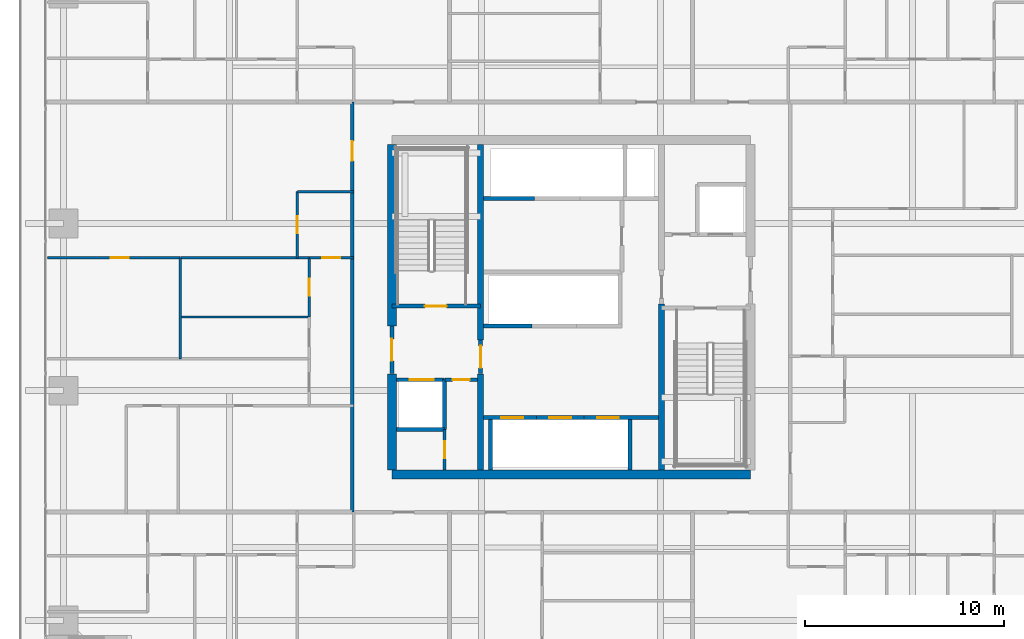
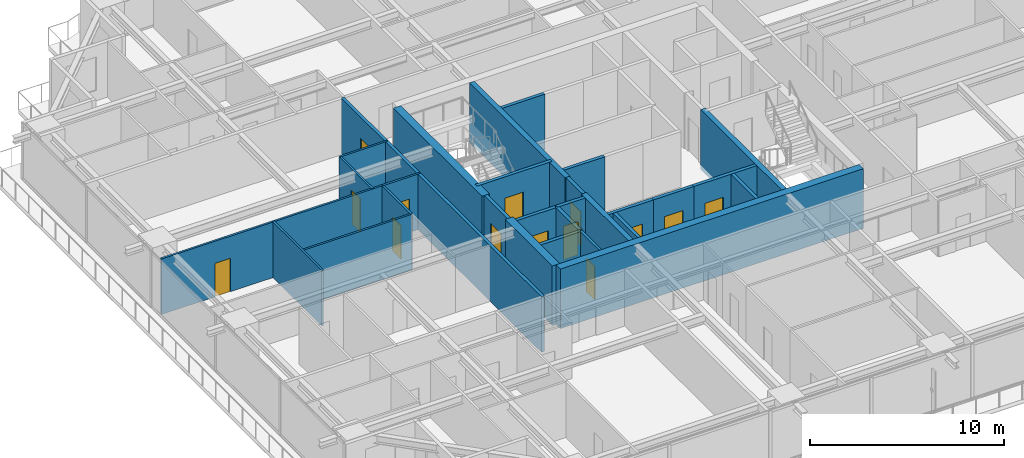
# One storey, part 27 of 38: 30 walls, 14 doors, 14 openings.
"""IFC4 building model written with IfcOpenShell, lengths in metres."""

from ifc_helpers import new_model, si_unit, direction, frame, frame_2d, origin, place, context, subcontext, project, spatial, rectangle, extrude, source, transform, mapped, material, layer, layer_set, type_object, element, fill, save


model = new_model("IFC4")

# Units and contexts
model_context = context("Model", 3, precision=1e-05, world=origin(), true_north=direction((0.0, 1.0)))
body_context = subcontext(model_context, "Body", "Model", "MODEL_VIEW")
ifc_project = project(units=[si_unit("LENGTHUNIT", "METRE"), si_unit("AREAUNIT", "SQUARE_METRE"), si_unit("VOLUMEUNIT", "CUBIC_METRE"), si_unit("PLANEANGLEUNIT", "RADIAN"), si_unit("MASSUNIT", "GRAM", prefix="KILO")], contexts=[model_context])

# Site, building, storey
site_placement = place(None, origin())
site = spatial("IfcSite", under=ifc_project, at=site_placement, CompositionType="ELEMENT")
building_placement = place(site_placement, origin())
building = spatial("IfcBuilding", under=site, at=building_placement, Name="Serunith Strait Residences", CompositionType="ELEMENT")
storey_placement = place(building_placement, frame((0.0, 0.0, 30.449951171875)))
storey = spatial("IfcBuildingStorey", under=building, at=storey_placement, Name="L06", CompositionType="ELEMENT", Elevation=30.449951171875)

# Wall, opening, door
ifc_material_1 = material(Name="Fire-rated masonry service closet wall", Category="masonry")
ifc_layer_1 = layer(ifc_material_1, 0.14990234375, Name="Fire-rated masonry service closet wall")
ifc_layer_set_1 = layer_set([ifc_layer_1], Name="Fire-rated masonry service closet wall")
wall_type_1 = type_object("IfcWallType", Name="IW-BOH-150", PredefinedType="PARTITIONING", material=ifc_layer_set_1)
wall_1_placement = place(storey_placement, frame((26.050048828125, 17.02490234375, 0.0), z_axis=(0.0, 0.0, 1.0), x_axis=(0.0, 1.0, 0.0)))
wall_1 = element("IfcWall", 1, at=wall_1_placement, inside=storey, type_object=wall_type_1, Name="L06 Partition Wall 012", PredefinedType="PARTITIONING", context=body_context, shape_type="SweptSolid", body=[
    extrude(rectangle(XDim=2.023193359375, YDim=0.14990234375, at=frame_2d((1.01171875, 0.0))), origin(), (0.0, 0.0, 1.0), 3.489990234375),
])
opening_1_placement = place(wall_1_placement, frame((0.5859375, 0.0, 0.0)))
opening_1 = element("IfcOpeningElement", 2, at=opening_1_placement, cuts=wall_1, Name="Opening FD-850", PredefinedType="OPENING", context=body_context, shape_type="SweptSolid", body=[
    extrude(rectangle(XDim=0.85009765625, YDim=2.10009765625, at=frame_2d((0.425048828125, 1.050048828125))), frame((0.0, 0.0849609375, 0.0), z_axis=(0.0, -1.0, 0.0), x_axis=(1.0, 0.0, 0.0)), (0.0, 0.0, 1.0), 0.169921875),
])
ifc_material_2 = material(Name="Powder-coated steel service closet door", Category="steel")
door_type_1 = type_object("IfcDoorType", Name="FD-BOH-850", OperationType="NOTDEFINED", PredefinedType="DOOR", material=ifc_material_2)
shared_shape_1 = source(origin(), body_context, "Body", "SweptSolid", [
    extrude(rectangle(XDim=0.85009765625, YDim=2.10009765625, at=frame_2d((0.425048828125, 1.050048828125))), frame((0.0, 0.02490234375, 0.0), z_axis=(0.0, -1.0, 0.0), x_axis=(1.0, 0.0, 0.0)), (0.0, 0.0, 1.0), 0.050048828125),
])
door_1_placement = place(opening_1_placement, origin())
door_1 = element("IfcDoor", 3, at=door_1_placement, inside=storey, type_object=door_type_1, Name="L06 Cleaner Store Door", OperationType="SINGLE_SWING_LEFT", OverallHeight=2.10009765625, OverallWidth=0.85009765625, PredefinedType="DOOR", context=body_context, shape_type="MappedRepresentation", body=[
    mapped(shared_shape_1, transform((0.0, 0.0, 0.0), scale=1.0)),
])
fill(opening_1, door_1)

ifc_material_3 = material(Name="Fire-rated acoustic gypsum partition")
ifc_layer_2 = layer(ifc_material_3, 0.179931640625, Name="Fire-rated acoustic gypsum partition")
ifc_layer_set_2 = layer_set([ifc_layer_2], Name="Fire-rated acoustic gypsum partition")
wall_type_2 = type_object("IfcWallType", Name="IW-CORR-180", PredefinedType="PARTITIONING", material=ifc_layer_set_2)
wall_2_placement = place(storey_placement, frame((21.39990234375, 14.89990234375, 0.0), z_axis=(0.0, 0.0, 1.0), x_axis=(0.0, 1.0, 0.0)))
wall_2 = element("IfcWall", 4, at=wall_2_placement, inside=storey, type_object=wall_type_2, Name="L06 Partition Wall 024", PredefinedType="PARTITIONING", context=body_context, shape_type="SweptSolid", body=[
    extrude(rectangle(XDim=20.60009765625, YDim=0.179931640625, at=frame_2d((10.300048828125, 0.0))), origin(), (0.0, 0.0, 1.0), 3.489990234375),
])
opening_2_placement = place(wall_2_placement, frame((17.639892578125, 0.0, 0.0)))
opening_2 = element("IfcOpeningElement", 5, at=opening_2_placement, cuts=wall_2, Name="Opening D-APT1000", PredefinedType="OPENING", context=body_context, shape_type="SweptSolid", body=[
    extrude(rectangle(XDim=1.0, YDim=2.14990234375, at=frame_2d((0.5, 1.074951171875))), frame((0.0, 0.10009765625, 0.0), z_axis=(0.0, -1.0, 0.0), x_axis=(1.0, 0.0, 0.0)), (0.0, 0.0, 1.0), 0.199951171875),
])
ifc_material_4 = material(Name="Solid timber engineered fire door", Category="wood")
door_type_2 = type_object("IfcDoorType", Name="ID-APT-1000", OperationType="NOTDEFINED", PredefinedType="DOOR", material=ifc_material_4)
shared_shape_2 = source(origin(), body_context, "Body", "SweptSolid", [
    extrude(rectangle(XDim=1.0, YDim=2.14990234375, at=frame_2d((0.5, 1.074951171875))), frame((0.0, 0.02490234375, 0.0), z_axis=(0.0, -1.0, 0.0), x_axis=(1.0, 0.0, 0.0)), (0.0, 0.0, 1.0), 0.050048828125),
])
door_2_placement = place(opening_2_placement, origin())
door_2 = element("IfcDoor", 6, at=door_2_placement, inside=storey, type_object=door_type_2, Name="L06 Unit 07 Entrance Door", OperationType="SINGLE_SWING_LEFT", OverallHeight=2.14990234375, OverallWidth=1.0, PredefinedType="DOOR", context=body_context, shape_type="MappedRepresentation", body=[
    mapped(shared_shape_2, transform((0.0, 0.0, 0.0), scale=1.0)),
])
fill(opening_2, door_2)

ifc_material_5 = material(Name="Lightweight steel-stud gypsum partition", Category="steel")
ifc_layer_3 = layer(ifc_material_5, 0.1201171875, Name="Lightweight steel-stud gypsum partition")
ifc_layer_set_3 = layer_set([ifc_layer_3], Name="Lightweight steel-stud gypsum partition")
wall_type_3 = type_object("IfcWallType", Name="IW-PART-120", PredefinedType="PARTITIONING", material=ifc_layer_set_3)
wall_3_placement = place(storey_placement, frame((18.64990234375, 27.669921875, 0.0), z_axis=(0.0, 0.0, 1.0), x_axis=(0.0, 1.0, 0.0)))
wall_3 = element("IfcWall", 7, at=wall_3_placement, inside=storey, type_object=wall_type_3, Name="L06 Partition Wall 100", PredefinedType="PARTITIONING", context=body_context, shape_type="SweptSolid", body=[
    extrude(rectangle(XDim=3.330078125, YDim=0.1201171875, at=frame_2d((1.6650390625, 0.0))), origin(), (0.0, 0.0, 1.0), 3.489990234375),
])
opening_3_placement = place(wall_3_placement, frame((1.239990234375, 0.0, 0.0)))
opening_3 = element("IfcOpeningElement", 8, at=opening_3_placement, cuts=wall_3, Name="Opening D-RM850", PredefinedType="OPENING", context=body_context, shape_type="SweptSolid", body=[
    extrude(rectangle(XDim=0.85009765625, YDim=2.10009765625, at=frame_2d((0.425048828125, 1.050048828125))), frame((0.0, 0.070068359375, 0.0), z_axis=(0.0, -1.0, 0.0), x_axis=(1.0, 0.0, 0.0)), (0.0, 0.0, 1.0), 0.14013671875),
])
ifc_material_6 = material(Name="Engineered timber flush study and kitchen door", Category="wood")
door_type_3 = type_object("IfcDoorType", Name="ID-ROOM-850", OperationType="NOTDEFINED", PredefinedType="DOOR", material=ifc_material_6)
door_3_placement = place(opening_3_placement, origin())
door_3 = element("IfcDoor", 9, at=door_3_placement, inside=storey, type_object=door_type_3, Name="L06 Kitchen 0607 Door", OperationType="SINGLE_SWING_LEFT", OverallHeight=2.10009765625, OverallWidth=0.85009765625, PredefinedType="DOOR", context=body_context, shape_type="MappedRepresentation", body=[
    mapped(shared_shape_1, transform((0.0, 0.0, 0.0), scale=1.0)),
])
fill(opening_3, door_3)

# Wall
wall_4_placement = place(storey_placement, frame((18.64990234375, 31.0, 0.0), z_axis=(0.0, 0.0, 1.0), x_axis=(1.0, 0.0, 0.0)))
element("IfcWall", 10, at=wall_4_placement, inside=storey, type_object=wall_type_3, Name="L06 Partition Wall 101", PredefinedType="PARTITIONING", context=body_context, shape_type="SweptSolid", body=[
    extrude(rectangle(XDim=2.81005859375, YDim=0.1201171875, at=frame_2d((1.405029296875, 0.0))), origin(), (0.0, 0.0, 1.0), 3.489990234375),
])

# Wall, opening, door
wall_5_placement = place(storey_placement, frame((19.25, 27.669921875, 0.0), z_axis=(0.0, 0.0, 1.0), x_axis=(1.0, 0.0, 0.0)))
wall_5 = element("IfcWall", 11, at=wall_5_placement, inside=storey, type_object=wall_type_3, Name="L06 Partition Wall 102", PredefinedType="PARTITIONING", context=body_context, shape_type="SweptSolid", body=[
    extrude(rectangle(XDim=2.2099609375, YDim=0.1201171875, at=frame_2d((1.10498046875, 0.0))), origin(), (0.0, 0.0, 1.0), 3.489990234375),
])
opening_4_placement = place(wall_5_placement, frame((0.655029296875, 0.0, 0.0)))
opening_4 = element("IfcOpeningElement", 12, at=opening_4_placement, cuts=wall_5, Name="Opening D-RM900", PredefinedType="OPENING", context=body_context, shape_type="SweptSolid", body=[
    extrude(rectangle(XDim=0.89990234375, YDim=2.10009765625, at=frame_2d((0.449951171875, 1.050048828125))), frame((0.0, 0.070068359375, 0.0), z_axis=(0.0, -1.0, 0.0), x_axis=(1.0, 0.0, 0.0)), (0.0, 0.0, 1.0), 0.14013671875),
])
ifc_material_7 = material(Name="Engineered timber flush bedroom door", Category="wood")
door_type_4 = type_object("IfcDoorType", Name="ID-ROOM-900", OperationType="NOTDEFINED", PredefinedType="DOOR", material=ifc_material_7)
shared_shape_3 = source(origin(), body_context, "Body", "SweptSolid", [
    extrude(rectangle(XDim=0.89990234375, YDim=2.10009765625, at=frame_2d((0.449951171875, 1.050048828125))), frame((0.0, 0.02490234375, 0.0), z_axis=(0.0, -1.0, 0.0), x_axis=(1.0, 0.0, 0.0)), (0.0, 0.0, 1.0), 0.050048828125),
])
door_4_placement = place(opening_4_placement, origin())
door_4 = element("IfcDoor", 13, at=door_4_placement, inside=storey, type_object=door_type_4, Name="L06 Hall W 0607 Door", OperationType="SINGLE_SWING_RIGHT", OverallHeight=2.10009765625, OverallWidth=0.89990234375, PredefinedType="DOOR", context=body_context, shape_type="MappedRepresentation", body=[
    mapped(shared_shape_3, transform((0.0, 0.0, 0.0), scale=1.0)),
])
fill(opening_4, door_4)

wall_6_placement = place(storey_placement, frame((6.094970703125, 27.669921875, 0.0), z_axis=(0.0, 0.0, 1.0), x_axis=(1.0, 0.0, 0.0)))
wall_6 = element("IfcWall", 14, at=wall_6_placement, inside=storey, type_object=wall_type_3, Name="L06 Partition Wall 103", PredefinedType="PARTITIONING", context=body_context, shape_type="SweptSolid", body=[
    extrude(rectangle(XDim=6.669921875, YDim=0.1201171875, at=frame_2d((3.3349609375, 0.0))), origin(), (0.0, 0.0, 1.0), 3.489990234375),
])
opening_5_placement = place(wall_6_placement, frame((3.174072265625, 0.0, 0.0)))
opening_5 = element("IfcOpeningElement", 15, at=opening_5_placement, cuts=wall_6, Name="Opening D-RM900", PredefinedType="OPENING", context=body_context, shape_type="SweptSolid", body=[
    extrude(rectangle(XDim=0.89990234375, YDim=2.10009765625, at=frame_2d((0.449951171875, 1.050048828125))), frame((0.0, 0.070068359375, 0.0), z_axis=(0.0, -1.0, 0.0), x_axis=(1.0, 0.0, 0.0)), (0.0, 0.0, 1.0), 0.14013671875),
])
door_5_placement = place(opening_5_placement, origin())
door_5 = element("IfcDoor", 16, at=door_5_placement, inside=storey, type_object=door_type_4, Name="L06 Formal Dining Room 1 0607 Door", OperationType="SINGLE_SWING_LEFT", OverallHeight=2.10009765625, OverallWidth=0.89990234375, PredefinedType="DOOR", context=body_context, shape_type="MappedRepresentation", body=[
    mapped(shared_shape_3, transform((0.0, 0.0, 0.0), scale=1.0)),
])
fill(opening_5, door_5)

# Walls
wall_7_placement = place(storey_placement, frame((12.76708984375, 27.669921875, 0.0), z_axis=(0.0, 0.0, 1.0), x_axis=(1.0, 0.0, 0.0)))
element("IfcWall", 17, at=wall_7_placement, inside=storey, type_object=wall_type_3, Name="L06 Partition Wall 104", PredefinedType="PARTITIONING", context=body_context, shape_type="SweptSolid", body=[
    extrude(rectangle(XDim=6.48095703125, YDim=0.1201171875, at=frame_2d((3.240478515625, 0.0))), origin(), (0.0, 0.0, 1.0), 3.489990234375),
])
wall_8_placement = place(storey_placement, frame((12.764892578125, 22.60009765625, 0.0), z_axis=(0.0, 0.0, 1.0), x_axis=(0.0, 1.0, 0.0)))
element("IfcWall", 18, at=wall_8_placement, inside=storey, type_object=wall_type_3, Name="L06 Partition Wall 105", PredefinedType="PARTITIONING", context=body_context, shape_type="SweptSolid", body=[
    extrude(rectangle(XDim=5.06982421875, YDim=0.1201171875, at=frame_2d((2.534912109375, 0.0))), origin(), (0.0, 0.0, 1.0), 3.489990234375),
])
wall_9_placement = place(storey_placement, frame((12.764892578125, 24.699951171875, 0.0), z_axis=(0.0, 0.0, 1.0), x_axis=(1.0, 0.0, 0.0)))
element("IfcWall", 19, at=wall_9_placement, inside=storey, type_object=wall_type_3, Name="L06 Partition Wall 107", PredefinedType="PARTITIONING", context=body_context, shape_type="SweptSolid", body=[
    extrude(rectangle(XDim=6.485107421875, YDim=0.1201171875, at=frame_2d((3.24267578125, 0.0))), origin(), (0.0, 0.0, 1.0), 3.489990234375),
])

# Wall, opening, door
wall_10_placement = place(storey_placement, frame((19.25, 24.701904296875, 0.0), z_axis=(0.0, 0.0, 1.0), x_axis=(0.0, 1.0, 0.0)))
wall_10 = element("IfcWall", 20, at=wall_10_placement, inside=storey, type_object=wall_type_3, Name="L06 Partition Wall 109", PredefinedType="PARTITIONING", context=body_context, shape_type="SweptSolid", body=[
    extrude(rectangle(XDim=2.968017578125, YDim=0.1201171875, at=frame_2d((1.48388671875, 0.0))), origin(), (0.0, 0.0, 1.0), 3.489990234375),
])
opening_6_placement = place(wall_10_placement, frame((1.05908203125, 0.0, 0.0)))
opening_6 = element("IfcOpeningElement", 21, at=opening_6_placement, cuts=wall_10, Name="Opening D-RM850", PredefinedType="OPENING", context=body_context, shape_type="SweptSolid", body=[
    extrude(rectangle(XDim=0.85009765625, YDim=2.10009765625, at=frame_2d((0.425048828125, 1.050048828125))), frame((0.0, 0.070068359375, 0.0), z_axis=(0.0, -1.0, 0.0), x_axis=(1.0, 0.0, 0.0)), (0.0, 0.0, 1.0), 0.14013671875),
])
door_6_placement = place(opening_6_placement, origin())
door_6 = element("IfcDoor", 22, at=door_6_placement, inside=storey, type_object=door_type_3, Name="L06 Formal Dining Room 0607 Door", OperationType="SINGLE_SWING_LEFT", OverallHeight=2.10009765625, OverallWidth=0.85009765625, PredefinedType="DOOR", context=body_context, shape_type="MappedRepresentation", body=[
    mapped(shared_shape_1, transform((0.0, 0.0, 0.0), scale=1.0)),
])
fill(opening_6, door_6)

ifc_material_8 = material(Name="Autoclaved aerated concrete blockwork", Category="masonry")
ifc_layer_4 = layer(ifc_material_8, 0.199951171875, Name="Autoclaved aerated concrete blockwork")
ifc_layer_set_4 = layer_set([ifc_layer_4], Name="Autoclaved aerated concrete blockwork")
wall_type_4 = type_object("IfcWallType", Name="IW-SHAFT-200", PredefinedType="STANDARD", material=ifc_layer_set_4)
wall_11_placement = place(storey_placement, frame((23.39990234375, 25.25, 0.0), z_axis=(0.0, 0.0, 1.0), x_axis=(1.0, 0.0, 0.0)))
wall_11 = element("IfcWall", 23, at=wall_11_placement, inside=storey, type_object=wall_type_4, Name="L06 ST-1 South Shaft Wall", PredefinedType="STANDARD", context=body_context, shape_type="SweptSolid", body=[
    extrude(rectangle(XDim=4.4501953125, YDim=0.199951171875, at=frame_2d((2.22509765625, 0.0))), origin(), (0.0, 0.0, 1.0), 3.489990234375),
])
opening_7_placement = place(wall_11_placement, frame((1.64990234375, 0.0, 0.0)))
opening_7 = element("IfcOpeningElement", 24, at=opening_7_placement, cuts=wall_11, Name="Opening FD-1100", PredefinedType="OPENING", context=body_context, shape_type="SweptSolid", body=[
    extrude(rectangle(XDim=1.10009765625, YDim=2.14990234375, at=frame_2d((0.550048828125, 1.074951171875))), frame((0.0, 0.10986328125, 0.0), z_axis=(0.0, -1.0, 0.0), x_axis=(1.0, 0.0, 0.0)), (0.0, 0.0, 1.0), 0.219970703125),
])
ifc_material_9 = material(Name="Galvanised steel fire door leaf", Category="steel")
door_type_5 = type_object("IfcDoorType", Name="FD-STAIR-1100", OperationType="NOTDEFINED", PredefinedType="DOOR", material=ifc_material_9)
shared_shape_4 = source(origin(), body_context, "Body", "SweptSolid", [
    extrude(rectangle(XDim=1.10009765625, YDim=2.14990234375, at=frame_2d((0.550048828125, 1.074951171875))), frame((0.0, 0.02490234375, 0.0), z_axis=(0.0, -1.0, 0.0), x_axis=(1.0, 0.0, 0.0)), (0.0, 0.0, 1.0), 0.050048828125),
])
door_7_placement = place(opening_7_placement, origin())
door_7 = element("IfcDoor", 25, at=door_7_placement, inside=storey, type_object=door_type_5, Name="L06 ST-1 Escape Stair Door", OperationType="SINGLE_SWING_RIGHT", OverallHeight=2.14990234375, OverallWidth=1.10009765625, PredefinedType="DOOR", context=body_context, shape_type="MappedRepresentation", body=[
    mapped(shared_shape_4, transform((0.0, 0.0, 0.0), scale=1.0)),
])
fill(opening_7, door_7)

wall_12_placement = place(storey_placement, frame((23.625, 21.550048828125, 0.0), z_axis=(0.0, 0.0, 1.0), x_axis=(1.0, 0.0, 0.0)))
wall_12 = element("IfcWall", 26, at=wall_12_placement, inside=storey, type_object=wall_type_4, Name="L06 FL-1 North Shaft Wall", PredefinedType="STANDARD", context=body_context, shape_type="SweptSolid", body=[
    extrude(rectangle(XDim=2.425048828125, YDim=0.199951171875, at=frame_2d((1.21240234375, 0.0))), origin(), (0.0, 0.0, 1.0), 3.489990234375),
])
opening_8_placement = place(wall_12_placement, frame((0.675048828125, 0.0, 0.0)))
opening_8 = element("IfcOpeningElement", 27, at=opening_8_placement, cuts=wall_12, Name="Opening LD-FF1200", PredefinedType="OPENING", context=body_context, shape_type="SweptSolid", body=[
    extrude(rectangle(XDim=1.199951171875, YDim=2.199951171875, at=frame_2d((0.60009765625, 1.10009765625))), frame((0.0, 0.10986328125, 0.0), z_axis=(0.0, -1.0, 0.0), x_axis=(1.0, 0.0, 0.0)), (0.0, 0.0, 1.0), 0.219970703125),
])
ifc_material_10 = material(Name="Brushed stainless steel landing door", Category="steel")
door_type_6 = type_object("IfcDoorType", Name="LD-FF-1200", OperationType="DOUBLE_DOOR_SLIDING", PredefinedType="DOOR", material=ifc_material_10)
shared_shape_5 = source(origin(), body_context, "Body", "SweptSolid", [
    extrude(rectangle(XDim=1.199951171875, YDim=2.199951171875, at=frame_2d((0.60009765625, 1.10009765625))), frame((0.0, 0.02490234375, 0.0), z_axis=(0.0, -1.0, 0.0), x_axis=(1.0, 0.0, 0.0)), (0.0, 0.0, 1.0), 0.050048828125),
])
door_8_placement = place(opening_8_placement, origin())
door_8 = element("IfcDoor", 28, at=door_8_placement, inside=storey, type_object=door_type_6, Name="L06 FL-1 Landing Door", OperationType="DOUBLE_DOOR_SLIDING", OverallHeight=2.199951171875, OverallWidth=1.199951171875, PredefinedType="DOOR", context=body_context, shape_type="MappedRepresentation", body=[
    mapped(shared_shape_5, transform((0.0, 0.0, 0.0), scale=1.0)),
])
fill(opening_8, door_8)

wall_13_placement = place(storey_placement, frame((28.0, 19.64990234375, 0.0), z_axis=(0.0, 0.0, 1.0), x_axis=(1.0, 0.0, 0.0)))
wall_13 = element("IfcWall", 29, at=wall_13_placement, inside=storey, type_object=wall_type_4, Name="L06 PL-1 North Shaft Wall", PredefinedType="STANDARD", context=body_context, shape_type="SweptSolid", body=[
    extrude(rectangle(XDim=2.64990234375, YDim=0.199951171875, at=frame_2d((1.324951171875, 0.0))), origin(), (0.0, 0.0, 1.0), 3.489990234375),
])
opening_9_placement = place(wall_13_placement, frame((0.89990234375, 0.0, 0.0)))
opening_9 = element("IfcOpeningElement", 30, at=opening_9_placement, cuts=wall_13, Name="Opening LD-1100", PredefinedType="OPENING", context=body_context, shape_type="SweptSolid", body=[
    extrude(rectangle(XDim=1.10009765625, YDim=2.199951171875, at=frame_2d((0.550048828125, 1.10009765625))), frame((0.0, 0.10986328125, 0.0), z_axis=(0.0, -1.0, 0.0), x_axis=(1.0, 0.0, 0.0)), (0.0, 0.0, 1.0), 0.219970703125),
])
ifc_material_11 = material(Name="Pale-champagne stainless landing door")
door_type_7 = type_object("IfcDoorType", Name="LD-LIFT-1100", OperationType="DOUBLE_DOOR_SLIDING", PredefinedType="DOOR", material=ifc_material_11)
shared_shape_6 = source(origin(), body_context, "Body", "SweptSolid", [
    extrude(rectangle(XDim=1.10009765625, YDim=2.199951171875, at=frame_2d((0.550048828125, 1.10009765625))), frame((0.0, 0.02490234375, 0.0), z_axis=(0.0, -1.0, 0.0), x_axis=(1.0, 0.0, 0.0)), (0.0, 0.0, 1.0), 0.050048828125),
])
door_9_placement = place(opening_9_placement, origin())
door_9 = element("IfcDoor", 31, at=door_9_placement, inside=storey, type_object=door_type_7, Name="L06 PL-1 Landing Door", OperationType="DOUBLE_DOOR_SLIDING", OverallHeight=2.199951171875, OverallWidth=1.10009765625, PredefinedType="DOOR", context=body_context, shape_type="MappedRepresentation", body=[
    mapped(shared_shape_6, transform((0.0, 0.0, 0.0), scale=1.0)),
])
fill(opening_9, door_9)

# Wall
wall_14_placement = place(storey_placement, frame((28.35009765625, 17.02490234375, 0.0), z_axis=(0.0, 0.0, 1.0), x_axis=(0.0, 1.0, 0.0)))
element("IfcWall", 32, at=wall_14_placement, inside=storey, type_object=wall_type_4, Name="L06 PL-1 West Shaft Wall", PredefinedType="STANDARD", context=body_context, shape_type="SweptSolid", body=[
    extrude(rectangle(XDim=2.525146484375, YDim=0.199951171875, at=frame_2d((1.2626953125, 0.0))), origin(), (0.0, 0.0, 1.0), 3.489990234375),
])

# Wall, opening, door
wall_15_placement = place(storey_placement, frame((30.64990234375, 19.64990234375, 0.0), z_axis=(0.0, 0.0, 1.0), x_axis=(1.0, 0.0, 0.0)))
wall_15 = element("IfcWall", 33, at=wall_15_placement, inside=storey, type_object=wall_type_4, Name="L06 PL-2 North Shaft Wall", PredefinedType="STANDARD", context=body_context, shape_type="SweptSolid", body=[
    extrude(rectangle(XDim=2.400146484375, YDim=0.199951171875, at=frame_2d((1.2001953125, 0.0))), origin(), (0.0, 0.0, 1.0), 3.489990234375),
])
opening_10_placement = place(wall_15_placement, frame((0.64990234375, 0.0, 0.0)))
opening_10 = element("IfcOpeningElement", 34, at=opening_10_placement, cuts=wall_15, Name="Opening LD-1100", PredefinedType="OPENING", context=body_context, shape_type="SweptSolid", body=[
    extrude(rectangle(XDim=1.10009765625, YDim=2.199951171875, at=frame_2d((0.550048828125, 1.10009765625))), frame((0.0, 0.10986328125, 0.0), z_axis=(0.0, -1.0, 0.0), x_axis=(1.0, 0.0, 0.0)), (0.0, 0.0, 1.0), 0.219970703125),
])
door_10_placement = place(opening_10_placement, origin())
door_10 = element("IfcDoor", 35, at=door_10_placement, inside=storey, type_object=door_type_7, Name="L06 PL-2 Landing Door", OperationType="DOUBLE_DOOR_SLIDING", OverallHeight=2.199951171875, OverallWidth=1.10009765625, PredefinedType="DOOR", context=body_context, shape_type="MappedRepresentation", body=[
    mapped(shared_shape_6, transform((0.0, 0.0, 0.0), scale=1.0)),
])
fill(opening_10, door_10)

wall_16_placement = place(storey_placement, frame((33.050048828125, 19.64990234375, 0.0), z_axis=(0.0, 0.0, 1.0), x_axis=(1.0, 0.0, 0.0)))
wall_16 = element("IfcWall", 36, at=wall_16_placement, inside=storey, type_object=wall_type_4, Name="L06 PL-3 North Shaft Wall", PredefinedType="STANDARD", context=body_context, shape_type="SweptSolid", body=[
    extrude(rectangle(XDim=3.75, YDim=0.199951171875, at=frame_2d((1.875, 0.0))), origin(), (0.0, 0.0, 1.0), 3.489990234375),
])
opening_11_placement = place(wall_16_placement, frame((0.64990234375, 0.0, 0.0)))
opening_11 = element("IfcOpeningElement", 37, at=opening_11_placement, cuts=wall_16, Name="Opening LD-1100", PredefinedType="OPENING", context=body_context, shape_type="SweptSolid", body=[
    extrude(rectangle(XDim=1.10009765625, YDim=2.199951171875, at=frame_2d((0.550048828125, 1.10009765625))), frame((0.0, 0.10986328125, 0.0), z_axis=(0.0, -1.0, 0.0), x_axis=(1.0, 0.0, 0.0)), (0.0, 0.0, 1.0), 0.219970703125),
])
door_11_placement = place(opening_11_placement, origin())
door_11 = element("IfcDoor", 38, at=door_11_placement, inside=storey, type_object=door_type_7, Name="L06 PL-3 Landing Door", OperationType="DOUBLE_DOOR_SLIDING", OverallHeight=2.199951171875, OverallWidth=1.10009765625, PredefinedType="DOOR", context=body_context, shape_type="MappedRepresentation", body=[
    mapped(shared_shape_6, transform((0.0, 0.0, 0.0), scale=1.0)),
])
fill(opening_11, door_11)

# Walls
wall_17_placement = place(storey_placement, frame((35.35009765625, 17.02490234375, 0.0), z_axis=(0.0, 0.0, 1.0), x_axis=(0.0, 1.0, 0.0)))
element("IfcWall", 39, at=wall_17_placement, inside=storey, type_object=wall_type_4, Name="L06 PL-3 East Shaft Wall", PredefinedType="STANDARD", context=body_context, shape_type="SweptSolid", body=[
    extrude(rectangle(XDim=2.525146484375, YDim=0.199951171875, at=frame_2d((1.2626953125, 0.0))), origin(), (0.0, 0.0, 1.0), 3.489990234375),
])
wall_18_placement = place(storey_placement, frame((28.0, 24.25, 0.0), z_axis=(0.0, 0.0, 1.0), x_axis=(1.0, 0.0, 0.0)))
element("IfcWall", 40, at=wall_18_placement, inside=storey, type_object=wall_type_4, Name="L06 PL-4 South Shaft Wall", PredefinedType="STANDARD", context=body_context, shape_type="SweptSolid", body=[
    extrude(rectangle(XDim=2.425048828125, YDim=0.199951171875, at=frame_2d((1.21240234375, 0.0))), origin(), (0.0, 0.0, 1.0), 3.489990234375),
])
wall_19_placement = place(storey_placement, frame((28.0, 30.64990234375, 0.0), z_axis=(0.0, 0.0, 1.0), x_axis=(1.0, 0.0, 0.0)))
element("IfcWall", 41, at=wall_19_placement, inside=storey, type_object=wall_type_4, Name="L06 PL-7 South Shaft Wall", PredefinedType="STANDARD", context=body_context, shape_type="SweptSolid", body=[
    extrude(rectangle(XDim=2.550048828125, YDim=0.199951171875, at=frame_2d((1.27490234375, 0.0))), origin(), (0.0, 0.0, 1.0), 3.489990234375),
])
wall_20_placement = place(storey_placement, frame((26.050048828125, 19.050048828125, 0.0), z_axis=(0.0, 0.0, 1.0), x_axis=(0.0, 1.0, 0.0)))
element("IfcWall", 42, at=wall_20_placement, inside=storey, type_object=wall_type_4, Name="L06 Partition Wall 001", PredefinedType="STANDARD", context=body_context, shape_type="SweptSolid", body=[
    extrude(rectangle(XDim=2.5, YDim=0.199951171875, at=frame_2d((1.25, 0.0))), origin(), (0.0, 0.0, 1.0), 3.489990234375),
])
wall_21_placement = place(storey_placement, frame((23.625, 19.050048828125, 0.0), z_axis=(0.0, 0.0, 1.0), x_axis=(1.0, 0.0, 0.0)))
element("IfcWall", 43, at=wall_21_placement, inside=storey, type_object=wall_type_4, Name="L06 Partition Wall 002", PredefinedType="STANDARD", context=body_context, shape_type="SweptSolid", body=[
    extrude(rectangle(XDim=2.425048828125, YDim=0.199951171875, at=frame_2d((1.21240234375, 0.0))), origin(), (0.0, 0.0, 1.0), 3.489990234375),
])

# Wall, opening, door
wall_22_placement = place(storey_placement, frame((26.052001953125, 21.550048828125, 0.0), z_axis=(0.0, 0.0, 1.0), x_axis=(1.0, 0.0, 0.0)))
wall_22 = element("IfcWall", 44, at=wall_22_placement, inside=storey, type_object=wall_type_4, Name="L06 Partition Wall 003", PredefinedType="STANDARD", context=body_context, shape_type="SweptSolid", body=[
    extrude(rectangle(XDim=1.64794921875, YDim=0.199951171875, at=frame_2d((0.823974609375, 0.0))), origin(), (0.0, 0.0, 1.0), 3.489990234375),
])
opening_12_placement = place(wall_22_placement, frame((0.39892578125, 0.0, 0.0)))
opening_12 = element("IfcOpeningElement", 45, at=opening_12_placement, cuts=wall_22, Name="Opening FD-850", PredefinedType="OPENING", context=body_context, shape_type="SweptSolid", body=[
    extrude(rectangle(XDim=0.85009765625, YDim=2.10009765625, at=frame_2d((0.425048828125, 1.050048828125))), frame((0.0, 0.10986328125, 0.0), z_axis=(0.0, -1.0, 0.0), x_axis=(1.0, 0.0, 0.0)), (0.0, 0.0, 1.0), 0.219970703125),
])
door_12_placement = place(opening_12_placement, origin())
door_12 = element("IfcDoor", 46, at=door_12_placement, inside=storey, type_object=door_type_1, Name="L06 South-West Core Service Door", OperationType="SINGLE_SWING_LEFT", OverallHeight=2.10009765625, OverallWidth=0.85009765625, PredefinedType="DOOR", context=body_context, shape_type="MappedRepresentation", body=[
    mapped(shared_shape_1, transform((0.0, 0.0, 0.0), scale=1.0)),
])
fill(opening_12, door_12)

wall_23_placement = place(storey_placement, frame((23.39990234375, 21.85205078125, 0.0), z_axis=(0.0, 0.0, 1.0), x_axis=(0.0, 1.0, 0.0)))
wall_23 = element("IfcWall", 47, at=wall_23_placement, inside=storey, type_object=wall_type_4, Name="L06 Partition Wall 007", PredefinedType="STANDARD", context=body_context, shape_type="SweptSolid", body=[
    extrude(rectangle(XDim=2.39599609375, YDim=0.199951171875, at=frame_2d((1.197998046875, 0.0))), origin(), (0.0, 0.0, 1.0), 3.489990234375),
])
opening_13_placement = place(wall_23_placement, frame((0.64794921875, 0.0, 0.0)))
opening_13 = element("IfcOpeningElement", 48, at=opening_13_placement, cuts=wall_23, Name="Opening FD-FFL", PredefinedType="OPENING", context=body_context, shape_type="SweptSolid", body=[
    extrude(rectangle(XDim=1.10009765625, YDim=2.14990234375, at=frame_2d((0.550048828125, 1.074951171875))), frame((0.0, 0.10986328125, 0.0), z_axis=(0.0, -1.0, 0.0), x_axis=(1.0, 0.0, 0.0)), (0.0, 0.0, 1.0), 0.219970703125),
])
ifc_material_12 = material(Name="Glazed steel smoke-lobby fire door", Category="steel")
door_type_8 = type_object("IfcDoorType", Name="FD-FFL-1100", OperationType="NOTDEFINED", PredefinedType="DOOR", material=ifc_material_12)
door_13_placement = place(opening_13_placement, origin())
door_13 = element("IfcDoor", 49, at=door_13_placement, inside=storey, type_object=door_type_8, Name="L06 FFL-1 Corridor Fire Door", OperationType="SINGLE_SWING_LEFT", OverallHeight=2.14990234375, OverallWidth=1.10009765625, PredefinedType="DOOR", context=body_context, shape_type="MappedRepresentation", body=[
    mapped(shared_shape_4, transform((0.0, 0.0, 0.0), scale=1.0)),
])
fill(opening_13, door_13)

wall_24_placement = place(storey_placement, frame((27.85009765625, 21.85205078125, 0.0), z_axis=(0.0, 0.0, 1.0), x_axis=(0.0, 1.0, 0.0)))
wall_24 = element("IfcWall", 50, at=wall_24_placement, inside=storey, type_object=wall_type_4, Name="L06 Partition Wall 009", PredefinedType="STANDARD", context=body_context, shape_type="SweptSolid", body=[
    extrude(rectangle(XDim=1.696044921875, YDim=0.199951171875, at=frame_2d((0.84814453125, 0.0))), origin(), (0.0, 0.0, 1.0), 3.489990234375),
])
opening_14_placement = place(wall_24_placement, frame((0.298095703125, 0.0, 0.0)))
opening_14 = element("IfcOpeningElement", 51, at=opening_14_placement, cuts=wall_24, Name="Opening FD-FFL", PredefinedType="OPENING", context=body_context, shape_type="SweptSolid", body=[
    extrude(rectangle(XDim=1.10009765625, YDim=2.14990234375, at=frame_2d((0.550048828125, 1.074951171875))), frame((0.0, 0.10986328125, 0.0), z_axis=(0.0, -1.0, 0.0), x_axis=(1.0, 0.0, 0.0)), (0.0, 0.0, 1.0), 0.219970703125),
])
door_14_placement = place(opening_14_placement, origin())
door_14 = element("IfcDoor", 52, at=door_14_placement, inside=storey, type_object=door_type_8, Name="L06 FFL-1 Lift Lobby Door", OperationType="SINGLE_SWING_LEFT", OverallHeight=2.14990234375, OverallWidth=1.10009765625, PredefinedType="DOOR", context=body_context, shape_type="MappedRepresentation", body=[
    mapped(shared_shape_4, transform((0.0, 0.0, 0.0), scale=1.0)),
])
fill(opening_14, door_14)

# Walls
ifc_material_13 = material(Name="Concrete C80/95", Category="concrete")
ifc_layer_5 = layer(ifc_material_13, 0.300048828125, Name="Concrete C80/95")
ifc_layer_set_5 = layer_set([ifc_layer_5], Name="Concrete C80/95")
wall_type_5 = type_object("IfcWallType", Name="SW-300-C80", PredefinedType="SHEAR", material=ifc_layer_set_5)
wall_25_placement = place(storey_placement, frame((27.85009765625, 17.02490234375, -0.260009765625), z_axis=(0.0, 0.0, 1.0), x_axis=(0.0, 1.0, 0.0)))
element("IfcWall", 53, at=wall_25_placement, inside=storey, type_object=wall_type_5, Name="L06 Core Internal West Web South Pier", PredefinedType="SHEAR", context=body_context, shape_type="SweptSolid", body=[
    extrude(rectangle(XDim=4.8251953125, YDim=0.300048828125, at=frame_2d((2.41259765625, 0.0))), origin(), (0.0, 0.0, 1.0), 3.748046875),
])
wall_26_placement = place(storey_placement, frame((27.85009765625, 23.550048828125, -0.260009765625), z_axis=(0.0, 0.0, 1.0), x_axis=(0.0, 1.0, 0.0)))
element("IfcWall", 54, at=wall_26_placement, inside=storey, type_object=wall_type_5, Name="L06 Core Internal West Web North Pier", PredefinedType="SHEAR", context=body_context, shape_type="SweptSolid", body=[
    extrude(rectangle(XDim=9.824951171875, YDim=0.300048828125, at=frame_2d((4.91259765625, 0.0))), origin(), (0.0, 0.0, 1.0), 3.748046875),
])
wall_27_placement = place(storey_placement, frame((36.949951171875, 17.02490234375, -0.260009765625), z_axis=(0.0, 0.0, 1.0), x_axis=(0.0, 1.0, 0.0)))
element("IfcWall", 55, at=wall_27_placement, inside=storey, type_object=wall_type_5, Name="L06 Core Internal East Web South Pier", PredefinedType="SHEAR", context=body_context, shape_type="SweptSolid", body=[
    extrude(rectangle(XDim=8.3251953125, YDim=0.300048828125, at=frame_2d((4.16259765625, 0.0))), origin(), (0.0, 0.0, 1.0), 3.748046875),
])
ifc_layer_6 = layer(ifc_material_13, 0.449951171875, Name="Concrete C80/95")
ifc_layer_set_6 = layer_set([ifc_layer_6], Name="Concrete C80/95")
wall_type_6 = type_object("IfcWallType", Name="SW-450-C80", PredefinedType="SHEAR", material=ifc_layer_set_6)
wall_28_placement = place(storey_placement, frame((23.39990234375, 16.800048828125, -0.260009765625), z_axis=(0.0, 0.0, 1.0), x_axis=(1.0, 0.0, 0.0)))
element("IfcWall", 56, at=wall_28_placement, inside=storey, type_object=wall_type_6, Name="L06 Core South Shear Wall", PredefinedType="SHEAR", context=body_context, shape_type="SweptSolid", body=[
    extrude(rectangle(XDim=18.0, YDim=0.449951171875, at=frame_2d((9.0, 0.0))), origin(), (0.0, 0.0, 1.0), 3.748046875),
])
wall_29_placement = place(storey_placement, frame((23.39990234375, 17.02490234375, -0.260009765625), z_axis=(0.0, 0.0, 1.0), x_axis=(0.0, 1.0, 0.0)))
element("IfcWall", 57, at=wall_29_placement, inside=storey, type_object=wall_type_6, Name="L06 Core West Shear Wall South Pier", PredefinedType="SHEAR", context=body_context, shape_type="SweptSolid", body=[
    extrude(rectangle(XDim=4.8251953125, YDim=0.449951171875, at=frame_2d((2.41259765625, 0.0))), origin(), (0.0, 0.0, 1.0), 3.748046875),
])
wall_30_placement = place(storey_placement, frame((23.39990234375, 24.25, -0.260009765625), z_axis=(0.0, 0.0, 1.0), x_axis=(0.0, 1.0, 0.0)))
element("IfcWall", 58, at=wall_30_placement, inside=storey, type_object=wall_type_6, Name="L06 Core West Shear Wall North Pier", PredefinedType="SHEAR", context=body_context, shape_type="SweptSolid", body=[
    extrude(rectangle(XDim=9.125, YDim=0.449951171875, at=frame_2d((4.5625, 0.0))), origin(), (0.0, 0.0, 1.0), 3.748046875),
])

save(model, "model.ifc")
